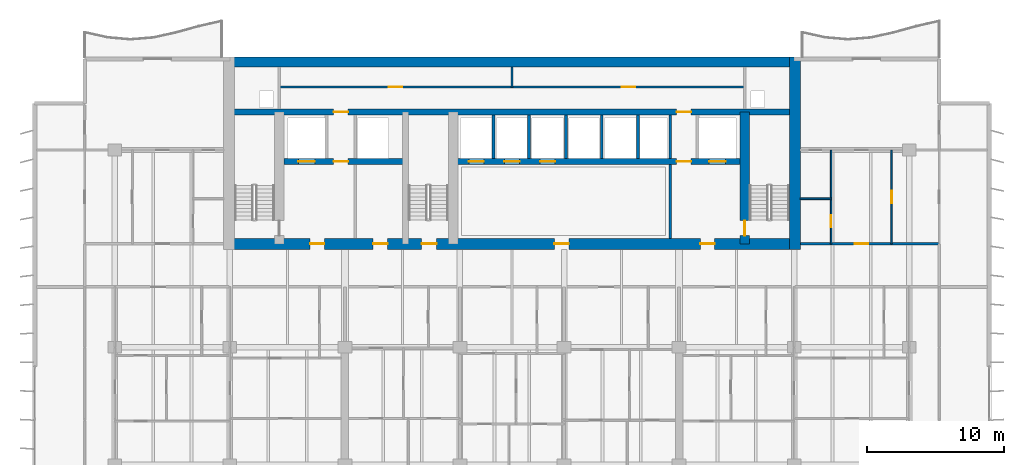
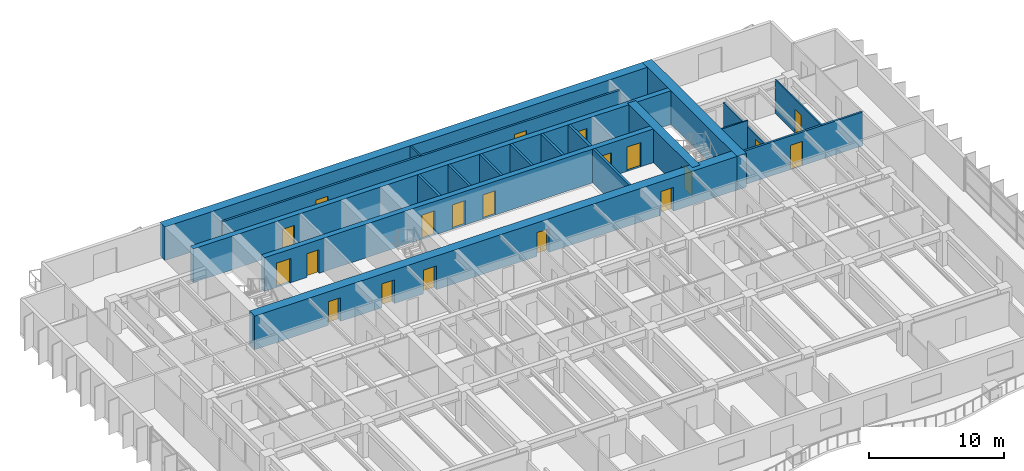
# One storey, part 12 of 19: 20 doors, 19 walls, 20 openings.
"""IFC4 building model written with IfcOpenShell, lengths in metres."""

import ifcopenshell
import ifcopenshell.guid

model = None  # the IFC model being written
_history = None  # IfcOwnerHistory: only IFC2X3 demands one
_inside = {}  # id of a spatial element -> (the spatial element, [elements in it])
_under = {}  # id of a project, library or spatial element -> (it, [spatial elements below it])
_declared = {}  # id of a project -> (the project, [libraries it declares])
_typed = {}  # id of a type object -> (the type object, [elements of that type])
_made_of = {}  # id of a material, layer set ... -> (it, [elements and type objects made of it])


def new_model(schema):
    """Start an empty IFC model of exactly this schema.

    Asked for "IFC4X3", IfcOpenShell would pick the latest addendum, in which some entities
    have other attributes; the version numbers below select the first issue.
    IFC2X3 requires an IfcOwnerHistory on every rooted entity: one is made here for all.
    """
    global model, _history
    if schema == "IFC4X3":
        model = ifcopenshell.file(schema_version=(4, 3, 0, 0))
    else:
        model = ifcopenshell.file(schema=schema)
    _inside.clear()
    _under.clear()
    _declared.clear()
    _typed.clear()
    _made_of.clear()
    _history = None
    if model.schema == "IFC2X3":
        org = make("IfcOrganization", Name="unknown")
        user = make(
            "IfcPersonAndOrganization",
            ThePerson=make("IfcPerson", FamilyName="unknown"),
            TheOrganization=org,
        )
        app = make(
            "IfcApplication",
            ApplicationDeveloper=org,
            Version="unknown",
            ApplicationFullName="unknown",
            ApplicationIdentifier="unknown",
        )
        _history = make(
            "IfcOwnerHistory",
            OwningUser=user,
            OwningApplication=app,
            ChangeAction="ADDED",
            CreationDate=0,
        )
    return model


def make(cls, **values):
    """One entity of the class cls with the attributes given. An attribute that is None is left unset."""
    return model.create_entity(
        cls, **{name: value for name, value in values.items() if value is not None}
    )


def rooted(cls, **values):
    """An entity with a GlobalId (a new one), such as an element, a storey or a relation."""
    return make(cls, GlobalId=ifcopenshell.guid.new(), OwnerHistory=_history, **values)


def si_unit(unit_type, name, prefix=None):
    """IfcSIUnit, for example si_unit("LENGTHUNIT", "METRE", prefix="MILLI")."""
    return make("IfcSIUnit", UnitType=unit_type, Prefix=prefix, Name=name)


def assignment(units):
    """IfcUnitAssignment: the units of a project."""
    return None if units is None else make("IfcUnitAssignment", Units=units)


def point(xyz):
    """IfcCartesianPoint."""
    return None if xyz is None else make("IfcCartesianPoint", Coordinates=xyz)


def direction(xyz):
    """IfcDirection."""
    return None if xyz is None else make("IfcDirection", DirectionRatios=xyz)


def frame(location, z_axis=None, x_axis=None):
    """IfcAxis2Placement3D, a coordinate frame: its origin and axes. An axis left out is left unset."""
    return make(
        "IfcAxis2Placement3D",
        Location=point(location),
        Axis=direction(z_axis),
        RefDirection=direction(x_axis),
    )


def frame_2d(location, x_axis=None):
    """IfcAxis2Placement2D, a coordinate frame in the plane: its origin and x axis."""
    return make(
        "IfcAxis2Placement2D", Location=point(location), RefDirection=direction(x_axis)
    )


def origin():
    """The frame at (0, 0, 0) with its axes left unset."""
    return frame((0.0, 0.0, 0.0))


def place(relative_to, where):
    """IfcLocalPlacement: puts the frame where relative to a parent placement (None: the world)."""
    return make(
        "IfcLocalPlacement", PlacementRelTo=relative_to, RelativePlacement=where
    )


def context(
    kind, dimensions, precision=None, world=None, true_north=None, identifier=None
):
    """IfcGeometricRepresentationContext, for example the 3D "Model" context."""
    return make(
        "IfcGeometricRepresentationContext",
        ContextIdentifier=identifier,
        ContextType=kind,
        CoordinateSpaceDimension=dimensions,
        Precision=precision,
        WorldCoordinateSystem=world,
        TrueNorth=true_north,
    )


def subcontext(parent, identifier, kind, view, scale=None):
    """IfcGeometricRepresentationSubContext, for example "Body" below "Model"."""
    return make(
        "IfcGeometricRepresentationSubContext",
        ContextIdentifier=identifier,
        ContextType=kind,
        ParentContext=parent,
        TargetScale=scale,
        TargetView=view,
    )


def project(units=None, contexts=None):
    """IfcProject with its units and contexts."""
    return rooted(
        "IfcProject",
        Name="project",
        RepresentationContexts=contexts,
        UnitsInContext=assignment(units),
    )


def spatial(cls, under=None, at=None, **own):
    """A site, building, storey or space (cls), placed at a placement, below another one or the project."""
    s = rooted(cls, ObjectPlacement=at, **own)
    if under is not None:
        _under.setdefault(under.id(), (under, []))[1].append(s)
    return s


def profile(cls, at=None, kind="AREA", **sizes):
    """A parametric profile (cls). Its sizes go by their IFC names, for example OverallWidth=200.0."""
    return make(cls, ProfileType=kind, Position=at, **sizes)


def rectangle(**sizes):
    """IfcRectangleProfileDef."""
    return profile("IfcRectangleProfileDef", **sizes)


def extrude(swept, where, along, depth):
    """IfcExtrudedAreaSolid: the profile swept, set in the frame where, extruded along a direction by depth."""
    return make(
        "IfcExtrudedAreaSolid",
        SweptArea=swept,
        Position=where,
        ExtrudedDirection=direction(along),
        Depth=depth,
    )


def shape(context_of_items, identifier, shape_type, items):
    """IfcShapeRepresentation: the items that make up one representation, for example the "Body"."""
    return make(
        "IfcShapeRepresentation",
        ContextOfItems=context_of_items,
        RepresentationIdentifier=identifier,
        RepresentationType=shape_type,
        Items=items,
    )


def material(Name=None, Category=None):
    """IfcMaterial."""
    return make("IfcMaterial", Name=Name, Category=Category)


def layer(
    of_material, thickness, ventilated=None, Name=None, Category=None, Priority=None
):
    """IfcMaterialLayer: one layer of a wall or slab, of a material (None: an air gap)."""
    return make(
        "IfcMaterialLayer",
        Material=of_material,
        LayerThickness=thickness,
        IsVentilated=ventilated,
        Name=Name,
        Category=Category,
        Priority=Priority,
    )


def layer_set(layers, Name=None):
    """IfcMaterialLayerSet."""
    return make("IfcMaterialLayerSet", MaterialLayers=layers, LayerSetName=Name)


def made_of(thing, what):
    """Note that an element or type object is made of a material, layer set ...; save() writes the relation."""
    if what is not None:
        _made_of.setdefault(what.id(), (what, []))[1].append(thing)
    return thing


def type_object(cls, material=None, **own):
    """A type object (cls), such as IfcWallType, which elements share."""
    return made_of(rooted(cls, **own), material)


def element(
    cls,
    number,
    at=None,
    inside=None,
    cuts=None,
    type_object=None,
    material=None,
    context=None,
    identifier="Body",
    shape_type=None,
    held_by="IfcProductDefinitionShape",
    body=None,
    shapes=None,
    **own,
):
    """One element of the class cls, such as IfcWall. Its Tag is "e" and its number.

    at: its placement. inside: the storey or other place that contains it. cuts: it is an
    opening in that element (IfcRelVoidsElement). A single representation is given by context,
    identifier, shape_type and body (its items); several are given by shapes. held_by: the class
    of the entity that holds the representations. save() writes the other relations.
    """
    e = rooted(cls, Tag="e%d" % number, ObjectPlacement=at, **own)
    if body is not None:
        shapes = [shape(context, identifier, shape_type, body)]
    if shapes is not None:
        e.Representation = make(held_by, Representations=shapes)
    if inside is not None:
        _inside.setdefault(inside.id(), (inside, []))[1].append(e)
    if cuts is not None:
        rooted(
            "IfcRelVoidsElement", RelatingBuildingElement=cuts, RelatedOpeningElement=e
        )
    if type_object is not None:
        _typed.setdefault(type_object.id(), (type_object, []))[1].append(e)
    return made_of(e, material)


def fill(opening, filler):
    """IfcRelFillsElement: the door or window that sits in an opening."""
    return rooted(
        "IfcRelFillsElement",
        RelatingOpeningElement=opening,
        RelatedBuildingElement=filler,
    )


def aggregate(whole, parts):
    """IfcRelAggregates: a whole, such as a stair, and the parts it consists of."""
    return rooted("IfcRelAggregates", RelatingObject=whole, RelatedObjects=parts)


def save(model, path):
    """Write the relations noted so far, then the file.

    IfcRelAggregates (storeys below a building ...), IfcRelContainedInSpatialStructure (elements
    in a storey), IfcRelDefinesByType, IfcRelAssociatesMaterial and IfcRelDeclares: one each for
    every whole, place, type object, material and project.
    """
    for whole, parts in _under.values():
        aggregate(whole, parts)
    for where, things in _inside.values():
        rooted(
            "IfcRelContainedInSpatialStructure",
            RelatedElements=things,
            RelatingStructure=where,
        )
    for kind, things in _typed.values():
        rooted("IfcRelDefinesByType", RelatedObjects=things, RelatingType=kind)
    for what, things in _made_of.values():
        rooted("IfcRelAssociatesMaterial", RelatedObjects=things, RelatingMaterial=what)
    for by, libraries in _declared.values():
        rooted("IfcRelDeclares", RelatingContext=by, RelatedDefinitions=libraries)
    model.write(path)


model = new_model("IFC4")

# Units and contexts
model_context = context("Model", 3, precision=1e-05, world=origin(), true_north=direction((0.0, 1.0)))
body_context = subcontext(model_context, "Body", "Model", "MODEL_VIEW")
ifc_project = project(units=[si_unit("LENGTHUNIT", "METRE"), si_unit("AREAUNIT", "SQUARE_METRE"), si_unit("VOLUMEUNIT", "CUBIC_METRE"), si_unit("PLANEANGLEUNIT", "RADIAN"), si_unit("MASSUNIT", "GRAM", prefix="KILO")], contexts=[model_context])

# Site, building, storey
site_placement = place(None, origin())
site = spatial("IfcSite", under=ifc_project, at=site_placement, CompositionType="ELEMENT")
building_placement = place(site_placement, origin())
building = spatial("IfcBuilding", under=site, at=building_placement, Name="Caelmar Bay Residences", CompositionType="ELEMENT")
storey_placement = place(building_placement, frame((0.0, 0.0, 91.199951171875)))
storey = spatial("IfcBuildingStorey", under=building, at=storey_placement, Name="L24", CompositionType="ELEMENT", Elevation=91.199951171875)

# Wall, opening, door
ifc_material_1 = material(Name="Concrete f'c 55 MPa (8,000 psi)", Category="concrete")
ifc_layer_1 = layer(ifc_material_1, 0.699951171875)
ifc_layer_set_1 = layer_set([ifc_layer_1], Name="Concrete f'c 55 MPa (8,000 psi)")
wall_type_1 = type_object("IfcWallType", Name="SW-COR-700", PredefinedType="SHEAR", material=ifc_layer_set_1)
wall_1_placement = place(storey_placement, frame((55.89990234375, 36.949951171875, 0.0), z_axis=(0.0, 0.0, 1.0), x_axis=(0.0, 1.0, 0.0)))
wall_1 = element("IfcWall", 1, at=wall_1_placement, inside=storey, type_object=wall_type_1, Name="L24 Core Structural Web Wall ST2W", PredefinedType="SHEAR", context=body_context, shape_type="SweptSolid", body=[
    extrude(rectangle(XDim=9.625, YDim=0.699951171875, at=frame_2d((4.8125, 0.0))), origin(), (0.0, 0.0, 1.0), 3.050048828125),
])
opening_1_placement = place(wall_1_placement, frame((0.60009765625, 0.0, 0.0)))
opening_1 = element("IfcOpeningElement", 2, at=opening_1_placement, cuts=wall_1, Name="Opening D-L24-111", PredefinedType="OPENING", context=body_context, shape_type="SweptSolid", body=[
    extrude(rectangle(XDim=1.10009765625, YDim=2.14990234375, at=frame_2d((0.550048828125, 1.074951171875))), frame((0.0, 0.35986328125, 0.0), z_axis=(0.0, -1.0, 0.0), x_axis=(1.0, 0.0, 0.0)), (0.0, 0.0, 1.0), 0.719970703125),
])
ifc_material_2 = material(Name="Fire-rated steel and walnut architectural door assembly", Category="steel")
ifc_layer_2 = layer(ifc_material_2, 0.050048828125)
ifc_layer_set_2 = layer_set([ifc_layer_2], Name="Fire-rated steel and walnut architectural door assembly")
door_type_1 = type_object("IfcDoorType", Name="D-STAIR-1100", OperationType="NOTDEFINED", PredefinedType="DOOR", material=ifc_layer_set_2)
door_1_placement = place(opening_1_placement, origin())
door_1 = element("IfcDoor", 3, at=door_1_placement, inside=storey, type_object=door_type_1, Name="L24 Firefighting Lobby East Door", OperationType="SINGLE_SWING_RIGHT", OverallHeight=2.14990234375, OverallWidth=1.10009765625, PredefinedType="DOOR", context=body_context, shape_type="SweptSolid", body=[
    extrude(rectangle(XDim=1.10009765625, YDim=2.14990234375, at=frame_2d((0.550048828125, 1.074951171875))), frame((0.0, 0.02490234375, 0.0), z_axis=(0.0, -1.0, 0.0), x_axis=(1.0, 0.0, 0.0)), (0.0, 0.0, 1.0), 0.050048828125),
])
fill(opening_1, door_1)

# Wall, openings, doors
ifc_material_3 = material(Name="Concrete f'c 70 MPa (10,000 psi)", Category="concrete")
ifc_layer_3 = layer(ifc_material_3, 0.800048828125)
ifc_layer_set_3 = layer_set([ifc_layer_3], Name="Concrete f'c 70 MPa (10,000 psi)")
wall_type_2 = type_object("IfcWallType", Name="SW-COR-800", PredefinedType="SHEAR", material=ifc_layer_set_3)
wall_2_placement = place(storey_placement, frame((17.85009765625, 36.949951171875, 0.0), z_axis=(0.0, 0.0, 1.0), x_axis=(1.0, 0.0, 0.0)))
wall_2 = element("IfcWall", 4, at=wall_2_placement, inside=storey, type_object=wall_type_2, Name="L24 Rear Core South Shear Wall", PredefinedType="SHEAR", context=body_context, shape_type="SweptSolid", body=[
    extrude(rectangle(XDim=42.099853515625, YDim=0.800048828125, at=frame_2d((21.0498046875, 0.0))), origin(), (0.0, 0.0, 1.0), 3.050048828125),
])
opening_2_placement = place(wall_2_placement, frame((14.449951171875, 0.0, 0.0)))
opening_2 = element("IfcOpeningElement", 5, at=opening_2_placement, cuts=wall_2, Name="Opening D-L24-106", PredefinedType="OPENING", context=body_context, shape_type="SweptSolid", body=[
    extrude(rectangle(XDim=1.10009765625, YDim=2.14990234375, at=frame_2d((0.550048828125, 1.074951171875))), frame((0.0, 0.409912109375, 0.0), z_axis=(0.0, -1.0, 0.0), x_axis=(1.0, 0.0, 0.0)), (0.0, 0.0, 1.0), 0.820068359375),
])
opening_3_placement = place(wall_2_placement, frame((6.300048828125, 0.0, 0.0)))
opening_3 = element("IfcOpeningElement", 6, at=opening_3_placement, cuts=wall_2, Name="Opening D-L24-107", PredefinedType="OPENING", context=body_context, shape_type="SweptSolid", body=[
    extrude(rectangle(XDim=1.050048828125, YDim=2.14990234375, at=frame_2d((0.52490234375, 1.074951171875))), frame((0.0, 0.409912109375, 0.0), z_axis=(0.0, -1.0, 0.0), x_axis=(1.0, 0.0, 0.0)), (0.0, 0.0, 1.0), 0.820068359375),
])
opening_4_placement = place(wall_2_placement, frame((34.800048828125, 0.0, 0.0)))
opening_4 = element("IfcOpeningElement", 7, at=opening_4_placement, cuts=wall_2, Name="Opening D-L24-110", PredefinedType="OPENING", context=body_context, shape_type="SweptSolid", body=[
    extrude(rectangle(XDim=1.050048828125, YDim=2.14990234375, at=frame_2d((0.52490234375, 1.074951171875))), frame((0.0, 0.409912109375, 0.0), z_axis=(0.0, -1.0, 0.0), x_axis=(1.0, 0.0, 0.0)), (0.0, 0.0, 1.0), 0.820068359375),
])
opening_5_placement = place(wall_2_placement, frame((10.91259765625, 0.0, 0.0)))
opening_5 = element("IfcOpeningElement", 8, at=opening_5_placement, cuts=wall_2, Name="Opening D-L24-113", PredefinedType="OPENING", context=body_context, shape_type="SweptSolid", body=[
    extrude(rectangle(XDim=1.050048828125, YDim=2.14990234375, at=frame_2d((0.52490234375, 1.074951171875))), frame((0.0, 0.409912109375, 0.0), z_axis=(0.0, -1.0, 0.0), x_axis=(1.0, 0.0, 0.0)), (0.0, 0.0, 1.0), 0.820068359375),
])
opening_6_placement = place(wall_2_placement, frame((24.14990234375, 0.0, 0.0)))
opening_6 = element("IfcOpeningElement", 9, at=opening_6_placement, cuts=wall_2, Name="Opening D-L24-114", PredefinedType="OPENING", context=body_context, shape_type="SweptSolid", body=[
    extrude(rectangle(XDim=1.050048828125, YDim=2.14990234375, at=frame_2d((0.52490234375, 1.074951171875))), frame((0.0, 0.409912109375, 0.0), z_axis=(0.0, -1.0, 0.0), x_axis=(1.0, 0.0, 0.0)), (0.0, 0.0, 1.0), 0.820068359375),
])
ifc_layer_4 = layer(ifc_material_2, 0.050048828125)
ifc_layer_set_4 = layer_set([ifc_layer_4], Name="Fire-rated steel and walnut architectural door assembly")
door_type_2 = type_object("IfcDoorType", Name="D-FSAE-1050", OperationType="NOTDEFINED", PredefinedType="DOOR", material=ifc_layer_set_4)
door_2_placement = place(opening_3_placement, origin())
door_2 = element("IfcDoor", 10, at=door_2_placement, inside=storey, type_object=door_type_2, Name="L24 Firefighting Lobby West Door", OperationType="SINGLE_SWING_RIGHT", OverallHeight=2.14990234375, OverallWidth=1.050048828125, PredefinedType="DOOR", context=body_context, shape_type="SweptSolid", body=[
    extrude(rectangle(XDim=1.050048828125, YDim=2.14990234375, at=frame_2d((0.52490234375, 1.074951171875))), frame((0.0, 0.02490234375, 0.0), z_axis=(0.0, -1.0, 0.0), x_axis=(1.0, 0.0, 0.0)), (0.0, 0.0, 1.0), 0.050048828125),
])
fill(opening_3, door_2)
door_3_placement = place(opening_4_placement, origin())
door_3 = element("IfcDoor", 11, at=door_3_placement, inside=storey, type_object=door_type_2, Name="L24 Firefighting Lobby East Door", OperationType="SINGLE_SWING_LEFT", OverallHeight=2.14990234375, OverallWidth=1.050048828125, PredefinedType="DOOR", context=body_context, shape_type="SweptSolid", body=[
    extrude(rectangle(XDim=1.050048828125, YDim=2.14990234375, at=frame_2d((0.52490234375, 1.074951171875))), frame((0.0, 0.02490234375, 0.0), z_axis=(0.0, -1.0, 0.0), x_axis=(1.0, 0.0, 0.0)), (0.0, 0.0, 1.0), 0.050048828125),
])
fill(opening_4, door_3)
door_4_placement = place(opening_5_placement, origin())
door_4 = element("IfcDoor", 12, at=door_4_placement, inside=storey, type_object=door_type_2, Name="L24 West Lift Lobby Door", OperationType="SINGLE_SWING_RIGHT", OverallHeight=2.14990234375, OverallWidth=1.050048828125, PredefinedType="DOOR", context=body_context, shape_type="SweptSolid", body=[
    extrude(rectangle(XDim=1.050048828125, YDim=2.14990234375, at=frame_2d((0.52490234375, 1.074951171875))), frame((0.0, 0.02490234375, 0.0), z_axis=(0.0, -1.0, 0.0), x_axis=(1.0, 0.0, 0.0)), (0.0, 0.0, 1.0), 0.050048828125),
])
fill(opening_5, door_4)
door_5_placement = place(opening_6_placement, origin())
door_5 = element("IfcDoor", 13, at=door_5_placement, inside=storey, type_object=door_type_2, Name="L24 Passenger Lift Lobby Door", OperationType="SINGLE_SWING_LEFT", OverallHeight=2.14990234375, OverallWidth=1.050048828125, PredefinedType="DOOR", context=body_context, shape_type="SweptSolid", body=[
    extrude(rectangle(XDim=1.050048828125, YDim=2.14990234375, at=frame_2d((0.52490234375, 1.074951171875))), frame((0.0, 0.02490234375, 0.0), z_axis=(0.0, -1.0, 0.0), x_axis=(1.0, 0.0, 0.0)), (0.0, 0.0, 1.0), 0.050048828125),
])
fill(opening_6, door_5)
door_6_placement = place(opening_2_placement, origin())
door_6 = element("IfcDoor", 14, at=door_6_placement, inside=storey, type_object=door_type_1, Name="L24 Exit Stair ST3 Door", OperationType="SINGLE_SWING_LEFT", OverallHeight=2.14990234375, OverallWidth=1.10009765625, PredefinedType="DOOR", context=body_context, shape_type="SweptSolid", body=[
    extrude(rectangle(XDim=1.10009765625, YDim=2.14990234375, at=frame_2d((0.550048828125, 1.074951171875))), frame((0.0, 0.02490234375, 0.0), z_axis=(0.0, -1.0, 0.0), x_axis=(1.0, 0.0, 0.0)), (0.0, 0.0, 1.0), 0.050048828125),
])
fill(opening_2, door_6)

# Walls
wall_3_placement = place(storey_placement, frame((59.550048828125, 36.550048828125, 0.0), z_axis=(0.0, 0.0, 1.0), x_axis=(0.0, 1.0, 0.0)))
element("IfcWall", 15, at=wall_3_placement, inside=storey, type_object=wall_type_2, Name="L24 Rear Core East Shear Wall", PredefinedType="SHEAR", context=body_context, shape_type="SweptSolid", body=[
    extrude(rectangle(XDim=14.050048828125, YDim=0.800048828125, at=frame_2d((7.02490234375, 0.0))), origin(), (0.0, 0.0, 1.0), 3.050048828125),
])
ifc_layer_5 = layer(ifc_material_3, 0.75)
ifc_layer_set_5 = layer_set([ifc_layer_5], Name="Concrete f'c 70 MPa (10,000 psi)")
wall_type_3 = type_object("IfcWallType", Name="SW-CORN-750", PredefinedType="SHEAR", material=ifc_layer_set_5)
wall_4_placement = place(storey_placement, frame((17.85009765625, 50.22509765625, 0.0), z_axis=(0.0, 0.0, 1.0), x_axis=(1.0, 0.0, 0.0)))
element("IfcWall", 16, at=wall_4_placement, inside=storey, type_object=wall_type_3, Name="L24 Rear Core North Shear Wall", PredefinedType="SHEAR", context=body_context, shape_type="SweptSolid", body=[
    extrude(rectangle(XDim=42.099853515625, YDim=0.75, at=frame_2d((21.0498046875, 0.0))), origin(), (0.0, 0.0, 1.0), 3.050048828125),
])

# Wall, openings, doors
ifc_layer_6 = layer(ifc_material_3, 0.449951171875)
ifc_layer_set_6 = layer_set([ifc_layer_6], Name="Concrete f'c 70 MPa (10,000 psi)")
wall_type_4 = type_object("IfcWallType", Name="SW-WEB-450", PredefinedType="SHEAR", material=ifc_layer_set_6)
wall_5_placement = place(storey_placement, frame((22.25, 42.949951171875, 0.0), z_axis=(0.0, 0.0, 1.0), x_axis=(1.0, 0.0, 0.0)))
wall_5 = element("IfcWall", 17, at=wall_5_placement, inside=storey, type_object=wall_type_4, Name="L24 Core Structural Web Wall LFR", PredefinedType="SHEAR", context=body_context, shape_type="SweptSolid", body=[
    extrude(rectangle(XDim=33.300048828125, YDim=0.449951171875, at=frame_2d((16.64990234375, 0.0))), origin(), (0.0, 0.0, 1.0), 3.050048828125),
])
opening_7_placement = place(wall_5_placement, frame((1.050048828125, 0.0, 0.0)))
opening_7 = element("IfcOpeningElement", 18, at=opening_7_placement, cuts=wall_5, Name="Opening LD2", PredefinedType="OPENING", context=body_context, shape_type="SweptSolid", body=[
    extrude(rectangle(XDim=1.199951171875, YDim=2.199951171875, at=frame_2d((0.60009765625, 1.10009765625))), frame((0.0, 0.23486328125, 0.0), z_axis=(0.0, -1.0, 0.0), x_axis=(1.0, 0.0, 0.0)), (0.0, 0.0, 1.0), 0.469970703125),
])
opening_8_placement = place(wall_5_placement, frame((31.050048828125, 0.0, 0.0)))
opening_8 = element("IfcOpeningElement", 19, at=opening_8_placement, cuts=wall_5, Name="Opening LD2", PredefinedType="OPENING", context=body_context, shape_type="SweptSolid", body=[
    extrude(rectangle(XDim=1.199951171875, YDim=2.199951171875, at=frame_2d((0.60009765625, 1.10009765625))), frame((0.0, 0.23486328125, 0.0), z_axis=(0.0, -1.0, 0.0), x_axis=(1.0, 0.0, 0.0)), (0.0, 0.0, 1.0), 0.469970703125),
])
opening_9_placement = place(wall_5_placement, frame((13.5, 0.0, 0.0)))
opening_9 = element("IfcOpeningElement", 20, at=opening_9_placement, cuts=wall_5, Name="Opening LD1", PredefinedType="OPENING", context=body_context, shape_type="SweptSolid", body=[
    extrude(rectangle(XDim=1.10009765625, YDim=2.199951171875, at=frame_2d((0.550048828125, 1.10009765625))), frame((0.0, 0.23486328125, 0.0), z_axis=(0.0, -1.0, 0.0), x_axis=(1.0, 0.0, 0.0)), (0.0, 0.0, 1.0), 0.469970703125),
])
opening_10_placement = place(wall_5_placement, frame((16.10009765625, 0.0, 0.0)))
opening_10 = element("IfcOpeningElement", 21, at=opening_10_placement, cuts=wall_5, Name="Opening LD1", PredefinedType="OPENING", context=body_context, shape_type="SweptSolid", body=[
    extrude(rectangle(XDim=1.10009765625, YDim=2.199951171875, at=frame_2d((0.550048828125, 1.10009765625))), frame((0.0, 0.23486328125, 0.0), z_axis=(0.0, -1.0, 0.0), x_axis=(1.0, 0.0, 0.0)), (0.0, 0.0, 1.0), 0.469970703125),
])
opening_11_placement = place(wall_5_placement, frame((18.699951171875, 0.0, 0.0)))
opening_11 = element("IfcOpeningElement", 22, at=opening_11_placement, cuts=wall_5, Name="Opening LD1", PredefinedType="OPENING", context=body_context, shape_type="SweptSolid", body=[
    extrude(rectangle(XDim=1.10009765625, YDim=2.199951171875, at=frame_2d((0.550048828125, 1.10009765625))), frame((0.0, 0.23486328125, 0.0), z_axis=(0.0, -1.0, 0.0), x_axis=(1.0, 0.0, 0.0)), (0.0, 0.0, 1.0), 0.469970703125),
])
opening_12_placement = place(wall_5_placement, frame((3.625, 0.0, 0.0)))
opening_12 = element("IfcOpeningElement", 23, at=opening_12_placement, cuts=wall_5, Name="Opening D-L24-109", PredefinedType="OPENING", context=body_context, shape_type="SweptSolid", body=[
    extrude(rectangle(XDim=1.050048828125, YDim=2.14990234375, at=frame_2d((0.52490234375, 1.074951171875))), frame((0.0, 0.23486328125, 0.0), z_axis=(0.0, -1.0, 0.0), x_axis=(1.0, 0.0, 0.0)), (0.0, 0.0, 1.0), 0.469970703125),
])
opening_13_placement = place(wall_5_placement, frame((28.675048828125, 0.0, 0.0)))
opening_13 = element("IfcOpeningElement", 24, at=opening_13_placement, cuts=wall_5, Name="Opening D-L24-112", PredefinedType="OPENING", context=body_context, shape_type="SweptSolid", body=[
    extrude(rectangle(XDim=1.050048828125, YDim=2.14990234375, at=frame_2d((0.52490234375, 1.074951171875))), frame((0.0, 0.23486328125, 0.0), z_axis=(0.0, -1.0, 0.0), x_axis=(1.0, 0.0, 0.0)), (0.0, 0.0, 1.0), 0.469970703125),
])
door_7_placement = place(opening_12_placement, origin())
door_7 = element("IfcDoor", 25, at=door_7_placement, inside=storey, type_object=door_type_2, Name="L24 Firefighting Lobby West Door", OperationType="SINGLE_SWING_RIGHT", OverallHeight=2.14990234375, OverallWidth=1.050048828125, PredefinedType="DOOR", context=body_context, shape_type="SweptSolid", body=[
    extrude(rectangle(XDim=1.050048828125, YDim=2.14990234375, at=frame_2d((0.52490234375, 1.074951171875))), frame((0.0, 0.02490234375, 0.0), z_axis=(0.0, -1.0, 0.0), x_axis=(1.0, 0.0, 0.0)), (0.0, 0.0, 1.0), 0.050048828125),
])
fill(opening_12, door_7)
door_8_placement = place(opening_13_placement, origin())
door_8 = element("IfcDoor", 26, at=door_8_placement, inside=storey, type_object=door_type_2, Name="L24 Firefighting Lobby East Door", OperationType="SINGLE_SWING_LEFT", OverallHeight=2.14990234375, OverallWidth=1.050048828125, PredefinedType="DOOR", context=body_context, shape_type="SweptSolid", body=[
    extrude(rectangle(XDim=1.050048828125, YDim=2.14990234375, at=frame_2d((0.52490234375, 1.074951171875))), frame((0.0, 0.02490234375, 0.0), z_axis=(0.0, -1.0, 0.0), x_axis=(1.0, 0.0, 0.0)), (0.0, 0.0, 1.0), 0.050048828125),
])
fill(opening_13, door_8)
ifc_material_4 = material(Name="Brushed bronze stainless-steel fire-rated lift landing doors", Category="steel")
ifc_layer_7 = layer(ifc_material_4, 0.050048828125)
ifc_layer_set_7 = layer_set([ifc_layer_7], Name="Brushed bronze stainless-steel fire-rated lift landing doors")
door_type_3 = type_object("IfcDoorType", Name="D-LND-1100", OperationType="DOUBLE_DOOR_SLIDING", PredefinedType="DOOR", material=ifc_layer_set_7)
door_9_placement = place(opening_9_placement, origin())
door_9 = element("IfcDoor", 27, at=door_9_placement, inside=storey, type_object=door_type_3, Name="L24 LP1 Sliding Landing Door", OperationType="DOUBLE_DOOR_SLIDING", OverallHeight=2.199951171875, OverallWidth=1.10009765625, PredefinedType="DOOR", context=body_context, shape_type="SweptSolid", body=[
    extrude(rectangle(XDim=1.10009765625, YDim=2.199951171875, at=frame_2d((0.550048828125, 1.10009765625))), frame((0.0, 0.02490234375, 0.0), z_axis=(0.0, -1.0, 0.0), x_axis=(1.0, 0.0, 0.0)), (0.0, 0.0, 1.0), 0.050048828125),
])
fill(opening_9, door_9)
door_10_placement = place(opening_10_placement, origin())
door_10 = element("IfcDoor", 28, at=door_10_placement, inside=storey, type_object=door_type_3, Name="L24 LP2 Sliding Landing Door", OperationType="DOUBLE_DOOR_SLIDING", OverallHeight=2.199951171875, OverallWidth=1.10009765625, PredefinedType="DOOR", context=body_context, shape_type="SweptSolid", body=[
    extrude(rectangle(XDim=1.10009765625, YDim=2.199951171875, at=frame_2d((0.550048828125, 1.10009765625))), frame((0.0, 0.02490234375, 0.0), z_axis=(0.0, -1.0, 0.0), x_axis=(1.0, 0.0, 0.0)), (0.0, 0.0, 1.0), 0.050048828125),
])
fill(opening_10, door_10)
door_11_placement = place(opening_11_placement, origin())
door_11 = element("IfcDoor", 29, at=door_11_placement, inside=storey, type_object=door_type_3, Name="L24 LP3 Sliding Landing Door", OperationType="DOUBLE_DOOR_SLIDING", OverallHeight=2.199951171875, OverallWidth=1.10009765625, PredefinedType="DOOR", context=body_context, shape_type="SweptSolid", body=[
    extrude(rectangle(XDim=1.10009765625, YDim=2.199951171875, at=frame_2d((0.550048828125, 1.10009765625))), frame((0.0, 0.02490234375, 0.0), z_axis=(0.0, -1.0, 0.0), x_axis=(1.0, 0.0, 0.0)), (0.0, 0.0, 1.0), 0.050048828125),
])
fill(opening_11, door_11)
ifc_material_5 = material(Name="Brushed stainless-steel FSAE sliding landing door", Category="steel")
ifc_layer_8 = layer(ifc_material_5, 0.050048828125)
ifc_layer_set_8 = layer_set([ifc_layer_8], Name="Brushed stainless-steel FSAE sliding landing door")
door_type_4 = type_object("IfcDoorType", Name="D-LND-1200", OperationType="DOUBLE_DOOR_SLIDING", PredefinedType="DOOR", material=ifc_layer_set_8)
door_12_placement = place(opening_7_placement, origin())
door_12 = element("IfcDoor", 30, at=door_12_placement, inside=storey, type_object=door_type_4, Name="L24 LF1 Sliding Landing Door", OperationType="DOUBLE_DOOR_SLIDING", OverallHeight=2.199951171875, OverallWidth=1.199951171875, PredefinedType="DOOR", context=body_context, shape_type="SweptSolid", body=[
    extrude(rectangle(XDim=1.199951171875, YDim=2.199951171875, at=frame_2d((0.60009765625, 1.10009765625))), frame((0.0, 0.02490234375, 0.0), z_axis=(0.0, -1.0, 0.0), x_axis=(1.0, 0.0, 0.0)), (0.0, 0.0, 1.0), 0.050048828125),
])
fill(opening_7, door_12)
door_13_placement = place(opening_8_placement, origin())
door_13 = element("IfcDoor", 31, at=door_13_placement, inside=storey, type_object=door_type_4, Name="L24 LF2 Sliding Landing Door", OperationType="DOUBLE_DOOR_SLIDING", OverallHeight=2.199951171875, OverallWidth=1.199951171875, PredefinedType="DOOR", context=body_context, shape_type="SweptSolid", body=[
    extrude(rectangle(XDim=1.199951171875, YDim=2.199951171875, at=frame_2d((0.60009765625, 1.10009765625))), frame((0.0, 0.02490234375, 0.0), z_axis=(0.0, -1.0, 0.0), x_axis=(1.0, 0.0, 0.0)), (0.0, 0.0, 1.0), 0.050048828125),
])
fill(opening_8, door_13)

wall_6_placement = place(storey_placement, frame((18.25, 46.574951171875, 0.0), z_axis=(0.0, 0.0, 1.0), x_axis=(1.0, 0.0, 0.0)))
wall_6 = element("IfcWall", 32, at=wall_6_placement, inside=storey, type_object=wall_type_4, Name="L24 Core Structural Web Wall SRVS", PredefinedType="SHEAR", context=body_context, shape_type="SweptSolid", body=[
    extrude(rectangle(XDim=41.300048828125, YDim=0.449951171875, at=frame_2d((20.64990234375, 0.0))), origin(), (0.0, 0.0, 1.0), 3.050048828125),
])
opening_14_placement = place(wall_6_placement, frame((7.625, 0.0, 0.0)))
opening_14 = element("IfcOpeningElement", 33, at=opening_14_placement, cuts=wall_6, Name="Opening D-L24-115", PredefinedType="OPENING", context=body_context, shape_type="SweptSolid", body=[
    extrude(rectangle(XDim=1.050048828125, YDim=2.14990234375, at=frame_2d((0.52490234375, 1.074951171875))), frame((0.0, 0.23486328125, 0.0), z_axis=(0.0, -1.0, 0.0), x_axis=(1.0, 0.0, 0.0)), (0.0, 0.0, 1.0), 0.469970703125),
])
opening_15_placement = place(wall_6_placement, frame((32.675048828125, 0.0, 0.0)))
opening_15 = element("IfcOpeningElement", 34, at=opening_15_placement, cuts=wall_6, Name="Opening D-L24-116", PredefinedType="OPENING", context=body_context, shape_type="SweptSolid", body=[
    extrude(rectangle(XDim=1.050048828125, YDim=2.14990234375, at=frame_2d((0.52490234375, 1.074951171875))), frame((0.0, 0.23486328125, 0.0), z_axis=(0.0, -1.0, 0.0), x_axis=(1.0, 0.0, 0.0)), (0.0, 0.0, 1.0), 0.469970703125),
])
door_14_placement = place(opening_14_placement, origin())
door_14 = element("IfcDoor", 35, at=door_14_placement, inside=storey, type_object=door_type_2, Name="L24 Core Service Corridor Door", OperationType="SINGLE_SWING_RIGHT", OverallHeight=2.14990234375, OverallWidth=1.050048828125, PredefinedType="DOOR", context=body_context, shape_type="SweptSolid", body=[
    extrude(rectangle(XDim=1.050048828125, YDim=2.14990234375, at=frame_2d((0.52490234375, 1.074951171875))), frame((0.0, 0.02490234375, 0.0), z_axis=(0.0, -1.0, 0.0), x_axis=(1.0, 0.0, 0.0)), (0.0, 0.0, 1.0), 0.050048828125),
])
fill(opening_14, door_14)
door_15_placement = place(opening_15_placement, origin())
door_15 = element("IfcDoor", 36, at=door_15_placement, inside=storey, type_object=door_type_2, Name="L24 Core Service Corridor Door", OperationType="SINGLE_SWING_LEFT", OverallHeight=2.14990234375, OverallWidth=1.050048828125, PredefinedType="DOOR", context=body_context, shape_type="SweptSolid", body=[
    extrude(rectangle(XDim=1.050048828125, YDim=2.14990234375, at=frame_2d((0.52490234375, 1.074951171875))), frame((0.0, 0.02490234375, 0.0), z_axis=(0.0, -1.0, 0.0), x_axis=(1.0, 0.0, 0.0)), (0.0, 0.0, 1.0), 0.050048828125),
])
fill(opening_15, door_15)

# Wall, opening, door
ifc_material_6 = material(Name="Double-stud acoustic fire-rated gypsum partition 180 mm")
ifc_layer_9 = layer(ifc_material_6, 0.179931640625)
ifc_layer_set_9 = layer_set([ifc_layer_9], Name="Double-stud acoustic fire-rated gypsum partition 180 mm")
wall_type_5 = type_object("IfcWallType", Name="W-COR-200", PredefinedType="PARTITIONING", material=ifc_layer_set_9)
wall_7_placement = place(storey_placement, frame((59.955078125, 36.949951171875, 0.0), z_axis=(0.0, 0.0, 1.0), x_axis=(1.0, 0.0, 0.0)))
wall_7 = element("IfcWall", 37, at=wall_7_placement, inside=storey, type_object=wall_type_5, Name="L24 Partition Wall H124", PredefinedType="PARTITIONING", context=body_context, shape_type="SweptSolid", body=[
    extrude(rectangle(XDim=10.14501953125, YDim=0.179931640625, at=frame_2d((5.072509765625, 0.0))), origin(), (0.0, 0.0, 1.0), 3.050048828125),
])
opening_16_placement = place(wall_7_placement, frame((3.95703125, 0.0, 0.0)))
opening_16 = element("IfcOpeningElement", 38, at=opening_16_placement, cuts=wall_7, Name="Opening D-L24-172", PredefinedType="OPENING", context=body_context, shape_type="SweptSolid", body=[
    extrude(rectangle(XDim=1.0, YDim=2.199951171875, at=frame_2d((0.5, 1.10009765625))), frame((0.0, 0.099853515625, 0.0), z_axis=(0.0, -1.0, 0.0), x_axis=(1.0, 0.0, 0.0)), (0.0, 0.0, 1.0), 0.199951171875),
])
ifc_layer_10 = layer(ifc_material_2, 0.050048828125)
ifc_layer_set_10 = layer_set([ifc_layer_10], Name="Fire-rated steel and walnut architectural door assembly")
door_type_5 = type_object("IfcDoorType", Name="D-UNIT-1000", OperationType="NOTDEFINED", PredefinedType="DOOR", material=ifc_layer_set_10)
door_16_placement = place(opening_16_placement, origin())
door_16 = element("IfcDoor", 39, at=door_16_placement, inside=storey, type_object=door_type_5, Name="L24 Residence EA Kitchen Door", OperationType="SINGLE_SWING_LEFT", OverallHeight=2.199951171875, OverallWidth=1.0, PredefinedType="DOOR", context=body_context, shape_type="SweptSolid", body=[
    extrude(rectangle(XDim=1.0, YDim=2.199951171875, at=frame_2d((0.5, 1.10009765625))), frame((0.0, 0.02490234375, 0.0), z_axis=(0.0, -1.0, 0.0), x_axis=(1.0, 0.0, 0.0)), (0.0, 0.0, 1.0), 0.050048828125),
])
fill(opening_16, door_16)

# Wall, openings, doors
wall_8_placement = place(storey_placement, frame((21.89990234375, 48.39990234375, 0.0), z_axis=(0.0, 0.0, 1.0), x_axis=(1.0, 0.0, 0.0)))
wall_8 = element("IfcWall", 40, at=wall_8_placement, inside=storey, type_object=wall_type_5, Name="L24 Partition Wall H129", PredefinedType="PARTITIONING", context=body_context, shape_type="SweptSolid", body=[
    extrude(rectangle(XDim=34.0, YDim=0.179931640625, at=frame_2d((17.0, 0.0))), origin(), (0.0, 0.0, 1.0), 3.050048828125),
])
opening_17_placement = place(wall_8_placement, frame((8.0, 0.0, 0.0)))
opening_17 = element("IfcOpeningElement", 41, at=opening_17_placement, cuts=wall_8, Name="Opening D-L24-117", PredefinedType="OPENING", context=body_context, shape_type="SweptSolid", body=[
    extrude(rectangle(XDim=1.0, YDim=2.199951171875, at=frame_2d((0.5, 1.10009765625))), frame((0.0, 0.099853515625, 0.0), z_axis=(0.0, -1.0, 0.0), x_axis=(1.0, 0.0, 0.0)), (0.0, 0.0, 1.0), 0.199951171875),
])
opening_18_placement = place(wall_8_placement, frame((25.0, 0.0, 0.0)))
opening_18 = element("IfcOpeningElement", 42, at=opening_18_placement, cuts=wall_8, Name="Opening D-L24-118", PredefinedType="OPENING", context=body_context, shape_type="SweptSolid", body=[
    extrude(rectangle(XDim=1.0, YDim=2.199951171875, at=frame_2d((0.5, 1.10009765625))), frame((0.0, 0.099853515625, 0.0), z_axis=(0.0, -1.0, 0.0), x_axis=(1.0, 0.0, 0.0)), (0.0, 0.0, 1.0), 0.199951171875),
])
door_17_placement = place(opening_17_placement, origin())
door_17 = element("IfcDoor", 43, at=door_17_placement, inside=storey, type_object=door_type_5, Name="L24 Building Management Office Door", OperationType="SINGLE_SWING_RIGHT", OverallHeight=2.199951171875, OverallWidth=1.0, PredefinedType="DOOR", context=body_context, shape_type="SweptSolid", body=[
    extrude(rectangle(XDim=1.0, YDim=2.199951171875, at=frame_2d((0.5, 1.10009765625))), frame((0.0, 0.02490234375, 0.0), z_axis=(0.0, -1.0, 0.0), x_axis=(1.0, 0.0, 0.0)), (0.0, 0.0, 1.0), 0.050048828125),
])
fill(opening_17, door_17)
door_18_placement = place(opening_18_placement, origin())
door_18 = element("IfcDoor", 44, at=door_18_placement, inside=storey, type_object=door_type_5, Name="L24 Concierge Operations Office Door", OperationType="SINGLE_SWING_LEFT", OverallHeight=2.199951171875, OverallWidth=1.0, PredefinedType="DOOR", context=body_context, shape_type="SweptSolid", body=[
    extrude(rectangle(XDim=1.0, YDim=2.199951171875, at=frame_2d((0.5, 1.10009765625))), frame((0.0, 0.02490234375, 0.0), z_axis=(0.0, -1.0, 0.0), x_axis=(1.0, 0.0, 0.0)), (0.0, 0.0, 1.0), 0.050048828125),
])
fill(opening_18, door_18)

# Walls
ifc_material_7 = material(Name="Fire-rated masonry and gypsum shaftliner assembly 200 mm", Category="masonry")
ifc_layer_11 = layer(ifc_material_7, 0.199951171875)
ifc_layer_set_11 = layer_set([ifc_layer_11], Name="Fire-rated masonry and gypsum shaftliner assembly 200 mm")
wall_type_6 = type_object("IfcWallType", Name="W-FSAE-200", PredefinedType="PARTITIONING", material=ifc_layer_set_11)
for number, where, z_axis, x_axis, name in (
    (45, (37.550048828125, 43.169921875, 0.0), (0.0, 0.0, 1.0), (0.0, 1.0, 0.0), "L24 Partition Wall V043"),
    (46, (40.14990234375, 43.169921875, 0.0), (0.0, 0.0, 1.0), (0.0, 1.0, 0.0), "L24 Partition Wall V050"),
    (47, (42.85009765625, 43.169921875, 0.0), (0.0, 0.0, 1.0), (0.0, 1.0, 0.0), "L24 Partition Wall V058"),
    (48, (45.449951171875, 43.169921875, 0.0), (0.0, 0.0, 1.0), (0.0, 1.0, 0.0), "L24 Partition Wall V059"),
    (49, (48.10009765625, 43.169921875, 0.0), (0.0, 0.0, 1.0), (0.0, 1.0, 0.0), "L24 Partition Wall V064"),
):
    element("IfcWall", number, at=place(storey_placement, frame(where, z_axis=z_axis, x_axis=x_axis)), inside=storey, type_object=wall_type_6, Name=name, PredefinedType="PARTITIONING", context=body_context, shape_type="SweptSolid", body=[
        extrude(rectangle(XDim=3.18505859375, YDim=0.199951171875, at=frame_2d((1.592529296875, 0.0))), origin(), (0.0, 0.0, 1.0), 3.050048828125),
    ])
wall_9_placement = place(storey_placement, frame((50.449951171875, 37.344970703125, 0.0), z_axis=(0.0, 0.0, 1.0), x_axis=(0.0, 1.0, 0.0)))
element("IfcWall", 50, at=wall_9_placement, inside=storey, type_object=wall_type_6, Name="L24 Partition Wall V067", PredefinedType="PARTITIONING", context=body_context, shape_type="SweptSolid", body=[
    extrude(rectangle(XDim=5.385009765625, YDim=0.199951171875, at=frame_2d((2.6923828125, 0.0))), origin(), (0.0, 0.0, 1.0), 3.050048828125),
])
wall_10_placement = place(storey_placement, frame((50.449951171875, 43.169921875, 0.0), z_axis=(0.0, 0.0, 1.0), x_axis=(0.0, 1.0, 0.0)))
element("IfcWall", 51, at=wall_10_placement, inside=storey, type_object=wall_type_6, Name="L24 Partition Wall V068", PredefinedType="PARTITIONING", context=body_context, shape_type="SweptSolid", body=[
    extrude(rectangle(XDim=3.18505859375, YDim=0.199951171875, at=frame_2d((1.592529296875, 0.0))), origin(), (0.0, 0.0, 1.0), 3.050048828125),
])
ifc_material_8 = material(Name="Acoustic metal-stud gypsum partition 120 mm")
ifc_layer_12 = layer(ifc_material_8, 0.1201171875)
ifc_layer_set_12 = layer_set([ifc_layer_12], Name="Acoustic metal-stud gypsum partition 120 mm")
wall_type_7 = type_object("IfcWallType", Name="W-PRT-120", PredefinedType="PARTITIONING", material=ifc_layer_set_12)
wall_11_placement = place(storey_placement, frame((38.89990234375, 48.39990234375, 0.0), z_axis=(0.0, 0.0, 1.0), x_axis=(0.0, 1.0, 0.0)))
element("IfcWall", 52, at=wall_11_placement, inside=storey, type_object=wall_type_7, Name="L24 Partition Wall V046", PredefinedType="PARTITIONING", context=body_context, shape_type="SweptSolid", body=[
    extrude(rectangle(XDim=1.455078125, YDim=0.1201171875, at=frame_2d((0.7275390625, 0.0))), origin(), (0.0, 0.0, 1.0), 3.050048828125),
])

# Wall, opening, door
wall_12_placement = place(storey_placement, frame((62.199951171875, 36.949951171875, 0.0), z_axis=(0.0, 0.0, 1.0), x_axis=(0.0, 1.0, 0.0)))
wall_12 = element("IfcWall", 53, at=wall_12_placement, inside=storey, type_object=wall_type_7, Name="L24 Partition Wall V083", PredefinedType="PARTITIONING", context=body_context, shape_type="SweptSolid", body=[
    extrude(rectangle(XDim=6.85009765625, YDim=0.1201171875, at=frame_2d((3.425048828125, 0.0))), origin(), (0.0, 0.0, 1.0), 2.4990234375),
])
opening_19_placement = place(wall_12_placement, frame((1.218994140625, 0.0, 0.0)))
opening_19 = element("IfcOpeningElement", 54, at=opening_19_placement, cuts=wall_12, Name="Opening D-L24-174", PredefinedType="OPENING", context=body_context, shape_type="SweptSolid", body=[
    extrude(rectangle(XDim=0.85009765625, YDim=2.10009765625, at=frame_2d((0.425048828125, 1.050048828125))), frame((0.0, 0.070068359375, 0.0), z_axis=(0.0, -1.0, 0.0), x_axis=(1.0, 0.0, 0.0)), (0.0, 0.0, 1.0), 0.14013671875),
])
ifc_material_9 = material(Name="Solid walnut timber interior door leaf and frame", Category="wood")
ifc_layer_13 = layer(ifc_material_9, 0.050048828125)
ifc_layer_set_13 = layer_set([ifc_layer_13], Name="Solid walnut timber interior door leaf and frame")
door_type_6 = type_object("IfcDoorType", Name="D-BATH-850", OperationType="NOTDEFINED", PredefinedType="DOOR", material=ifc_layer_set_13)
door_19_placement = place(opening_19_placement, origin())
door_19 = element("IfcDoor", 55, at=door_19_placement, inside=storey, type_object=door_type_6, Name="L24 Residence EA Walk-In Closet Door", OperationType="SINGLE_SWING_LEFT", OverallHeight=2.10009765625, OverallWidth=0.85009765625, PredefinedType="DOOR", context=body_context, shape_type="SweptSolid", body=[
    extrude(rectangle(XDim=0.85009765625, YDim=2.10009765625, at=frame_2d((0.425048828125, 1.050048828125))), frame((0.0, 0.02490234375, 0.0), z_axis=(0.0, -1.0, 0.0), x_axis=(1.0, 0.0, 0.0)), (0.0, 0.0, 1.0), 0.050048828125),
])
fill(opening_19, door_19)

wall_13_placement = place(storey_placement, frame((66.6240234375, 36.949951171875, 0.0), z_axis=(0.0, 0.0, 1.0), x_axis=(0.0, 1.0, 0.0)))
wall_13 = element("IfcWall", 56, at=wall_13_placement, inside=storey, type_object=wall_type_7, Name="L24 Partition Wall V086", PredefinedType="PARTITIONING", context=body_context, shape_type="SweptSolid", body=[
    extrude(rectangle(XDim=6.85009765625, YDim=0.1201171875, at=frame_2d((3.425048828125, 0.0))), origin(), (0.0, 0.0, 1.0), 3.050048828125),
])
opening_20_placement = place(wall_13_placement, frame((2.97509765625, 0.0, 0.0)))
opening_20 = element("IfcOpeningElement", 57, at=opening_20_placement, cuts=wall_13, Name="Opening D-L24-171", PredefinedType="OPENING", context=body_context, shape_type="SweptSolid", body=[
    extrude(rectangle(XDim=0.89990234375, YDim=2.14990234375, at=frame_2d((0.449951171875, 1.074951171875))), frame((0.0, 0.070068359375, 0.0), z_axis=(0.0, -1.0, 0.0), x_axis=(1.0, 0.0, 0.0)), (0.0, 0.0, 1.0), 0.14013671875),
])
ifc_layer_14 = layer(ifc_material_9, 0.050048828125)
ifc_layer_set_14 = layer_set([ifc_layer_14], Name="Solid walnut timber interior door leaf and frame")
door_type_7 = type_object("IfcDoorType", Name="D-ROOM-900", OperationType="NOTDEFINED", PredefinedType="DOOR", material=ifc_layer_set_14)
door_20_placement = place(opening_20_placement, origin())
door_20 = element("IfcDoor", 58, at=door_20_placement, inside=storey, type_object=door_type_7, Name="L24 Residence EA Dining Room Door", OperationType="SINGLE_SWING_RIGHT", OverallHeight=2.14990234375, OverallWidth=0.89990234375, PredefinedType="DOOR", context=body_context, shape_type="SweptSolid", body=[
    extrude(rectangle(XDim=0.89990234375, YDim=2.14990234375, at=frame_2d((0.449951171875, 1.074951171875))), frame((0.0, 0.02490234375, 0.0), z_axis=(0.0, -1.0, 0.0), x_axis=(1.0, 0.0, 0.0)), (0.0, 0.0, 1.0), 0.050048828125),
])
fill(opening_20, door_20)

# Wall
wall_14_placement = place(storey_placement, frame((59.945068359375, 40.238037109375, 0.0), z_axis=(0.0, 0.0, 1.0), x_axis=(1.0, 0.0, 0.0)))
element("IfcWall", 59, at=wall_14_placement, inside=storey, type_object=wall_type_7, Name="L24 Partition Wall H126", PredefinedType="PARTITIONING", context=body_context, shape_type="SweptSolid", body=[
    extrude(rectangle(XDim=2.2548828125, YDim=0.1201171875, at=frame_2d((1.12744140625, 0.0))), origin(), (0.0, 0.0, 1.0), 3.050048828125),
])

save(model, "model.ifc")
